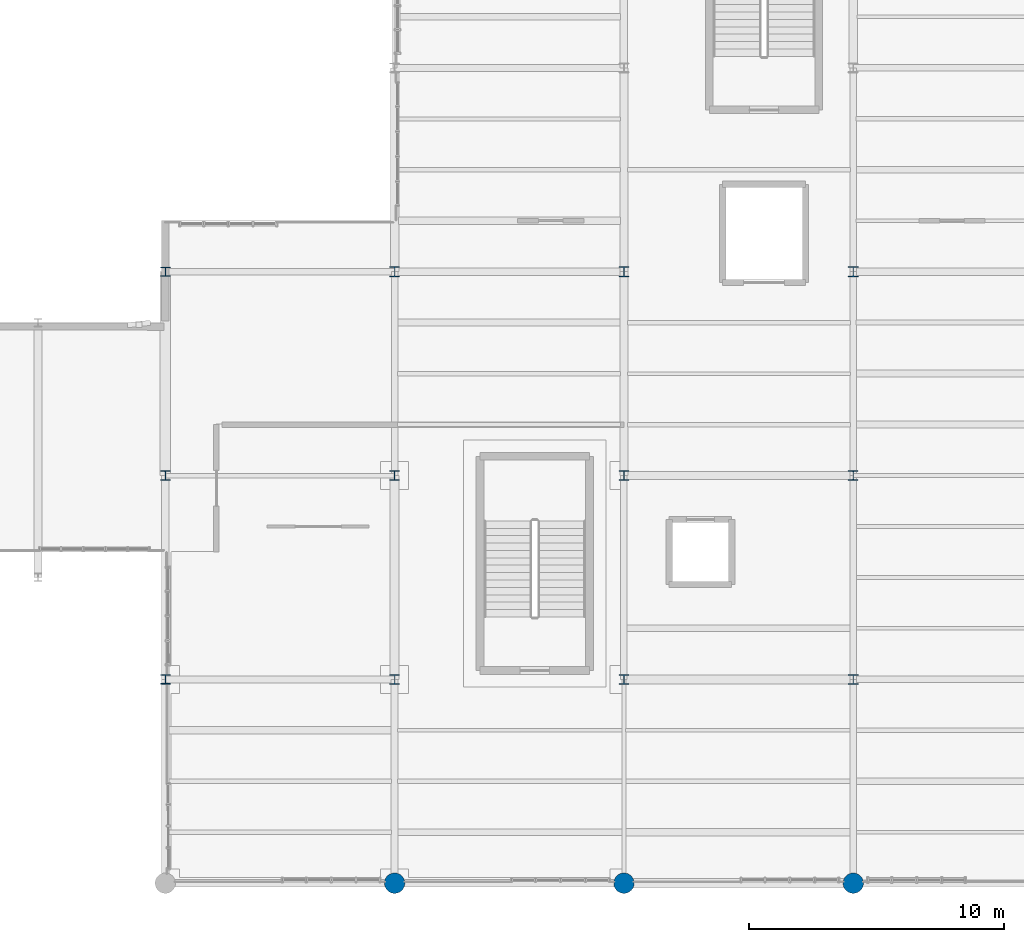
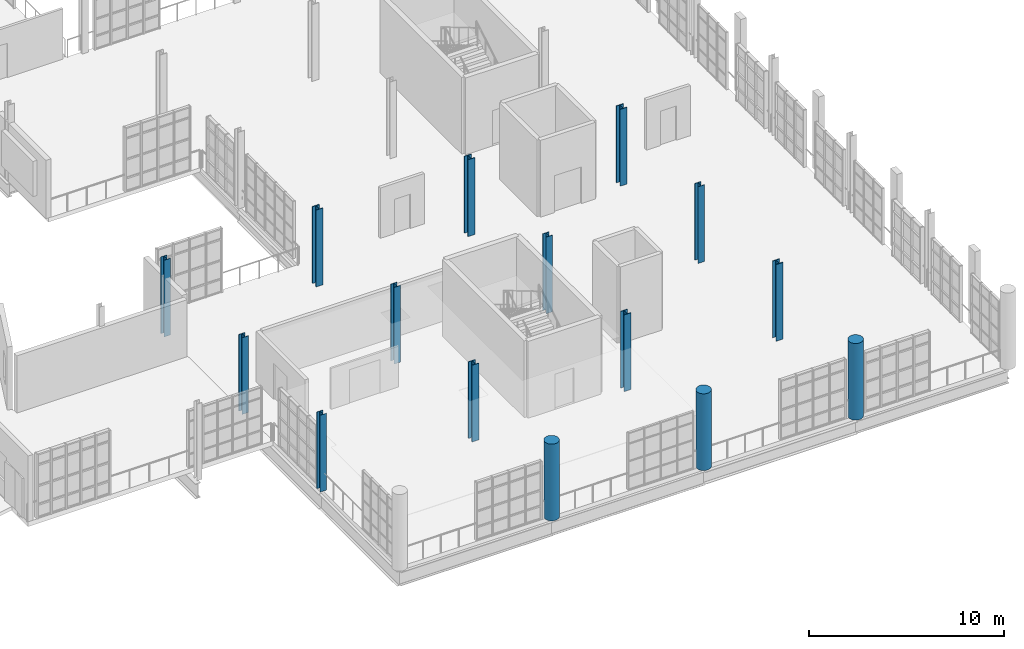
# One storey, part 6 of 122: 15 columns.
"""IFC4 building model written with IfcOpenShell, lengths in metres."""

import ifcopenshell
import ifcopenshell.guid

model = None  # the IFC model being written
_history = None  # IfcOwnerHistory: only IFC2X3 demands one
_inside = {}  # id of a spatial element -> (the spatial element, [elements in it])
_under = {}  # id of a project, library or spatial element -> (it, [spatial elements below it])
_declared = {}  # id of a project -> (the project, [libraries it declares])
_typed = {}  # id of a type object -> (the type object, [elements of that type])
_made_of = {}  # id of a material, layer set ... -> (it, [elements and type objects made of it])


def new_model(schema):
    """Start an empty IFC model of exactly this schema.

    Asked for "IFC4X3", IfcOpenShell would pick the latest addendum, in which some entities
    have other attributes; the version numbers below select the first issue.
    IFC2X3 requires an IfcOwnerHistory on every rooted entity: one is made here for all.
    """
    global model, _history
    if schema == "IFC4X3":
        model = ifcopenshell.file(schema_version=(4, 3, 0, 0))
    else:
        model = ifcopenshell.file(schema=schema)
    _inside.clear()
    _under.clear()
    _declared.clear()
    _typed.clear()
    _made_of.clear()
    _history = None
    if model.schema == "IFC2X3":
        org = make("IfcOrganization", Name="unknown")
        user = make(
            "IfcPersonAndOrganization",
            ThePerson=make("IfcPerson", FamilyName="unknown"),
            TheOrganization=org,
        )
        app = make(
            "IfcApplication",
            ApplicationDeveloper=org,
            Version="unknown",
            ApplicationFullName="unknown",
            ApplicationIdentifier="unknown",
        )
        _history = make(
            "IfcOwnerHistory",
            OwningUser=user,
            OwningApplication=app,
            ChangeAction="ADDED",
            CreationDate=0,
        )
    return model


def make(cls, **values):
    """One entity of the class cls with the attributes given. An attribute that is None is left unset."""
    return model.create_entity(
        cls, **{name: value for name, value in values.items() if value is not None}
    )


def rooted(cls, **values):
    """An entity with a GlobalId (a new one), such as an element, a storey or a relation."""
    return make(cls, GlobalId=ifcopenshell.guid.new(), OwnerHistory=_history, **values)


def si_unit(unit_type, name, prefix=None):
    """IfcSIUnit, for example si_unit("LENGTHUNIT", "METRE", prefix="MILLI")."""
    return make("IfcSIUnit", UnitType=unit_type, Prefix=prefix, Name=name)


def assignment(units):
    """IfcUnitAssignment: the units of a project."""
    return None if units is None else make("IfcUnitAssignment", Units=units)


def point(xyz):
    """IfcCartesianPoint."""
    return None if xyz is None else make("IfcCartesianPoint", Coordinates=xyz)


def direction(xyz):
    """IfcDirection."""
    return None if xyz is None else make("IfcDirection", DirectionRatios=xyz)


def frame(location, z_axis=None, x_axis=None):
    """IfcAxis2Placement3D, a coordinate frame: its origin and axes. An axis left out is left unset."""
    return make(
        "IfcAxis2Placement3D",
        Location=point(location),
        Axis=direction(z_axis),
        RefDirection=direction(x_axis),
    )


def frame_2d(location, x_axis=None):
    """IfcAxis2Placement2D, a coordinate frame in the plane: its origin and x axis."""
    return make(
        "IfcAxis2Placement2D", Location=point(location), RefDirection=direction(x_axis)
    )


def origin():
    """The frame at (0, 0, 0) with its axes left unset."""
    return frame((0.0, 0.0, 0.0))


def origin_2d():
    """The frame at (0, 0) in the plane with its x axis left unset."""
    return frame_2d((0.0, 0.0))


def place(relative_to, where):
    """IfcLocalPlacement: puts the frame where relative to a parent placement (None: the world)."""
    return make(
        "IfcLocalPlacement", PlacementRelTo=relative_to, RelativePlacement=where
    )


def context(
    kind, dimensions, precision=None, world=None, true_north=None, identifier=None
):
    """IfcGeometricRepresentationContext, for example the 3D "Model" context."""
    return make(
        "IfcGeometricRepresentationContext",
        ContextIdentifier=identifier,
        ContextType=kind,
        CoordinateSpaceDimension=dimensions,
        Precision=precision,
        WorldCoordinateSystem=world,
        TrueNorth=true_north,
    )


def subcontext(parent, identifier, kind, view, scale=None):
    """IfcGeometricRepresentationSubContext, for example "Body" below "Model"."""
    return make(
        "IfcGeometricRepresentationSubContext",
        ContextIdentifier=identifier,
        ContextType=kind,
        ParentContext=parent,
        TargetScale=scale,
        TargetView=view,
    )


def project(units=None, contexts=None):
    """IfcProject with its units and contexts."""
    return rooted(
        "IfcProject",
        Name="project",
        RepresentationContexts=contexts,
        UnitsInContext=assignment(units),
    )


def spatial(cls, under=None, at=None, **own):
    """A site, building, storey or space (cls), placed at a placement, below another one or the project."""
    s = rooted(cls, ObjectPlacement=at, **own)
    if under is not None:
        _under.setdefault(under.id(), (under, []))[1].append(s)
    return s


def profile(cls, at=None, kind="AREA", **sizes):
    """A parametric profile (cls). Its sizes go by their IFC names, for example OverallWidth=200.0."""
    return make(cls, ProfileType=kind, Position=at, **sizes)


def circle(**sizes):
    """IfcCircleProfileDef."""
    return profile("IfcCircleProfileDef", **sizes)


def i_section(**sizes):
    """IfcIShapeProfileDef."""
    return profile("IfcIShapeProfileDef", **sizes)


def extrude(swept, where, along, depth):
    """IfcExtrudedAreaSolid: the profile swept, set in the frame where, extruded along a direction by depth."""
    return make(
        "IfcExtrudedAreaSolid",
        SweptArea=swept,
        Position=where,
        ExtrudedDirection=direction(along),
        Depth=depth,
    )


def shape(context_of_items, identifier, shape_type, items):
    """IfcShapeRepresentation: the items that make up one representation, for example the "Body"."""
    return make(
        "IfcShapeRepresentation",
        ContextOfItems=context_of_items,
        RepresentationIdentifier=identifier,
        RepresentationType=shape_type,
        Items=items,
    )


def material(Name=None, Category=None):
    """IfcMaterial."""
    return make("IfcMaterial", Name=Name, Category=Category)


def material_profile(
    of_material, cross_section, Name=None, Category=None, Priority=None
):
    """IfcMaterialProfile: a cross section and its material."""
    return make(
        "IfcMaterialProfile",
        Name=Name,
        Material=of_material,
        Profile=cross_section,
        Priority=Priority,
        Category=Category,
    )


def profile_set(profiles, Name=None, composite=None):
    """IfcMaterialProfileSet."""
    return make(
        "IfcMaterialProfileSet",
        Name=Name,
        MaterialProfiles=profiles,
        CompositeProfile=composite,
    )


def made_of(thing, what):
    """Note that an element or type object is made of a material, layer set ...; save() writes the relation."""
    if what is not None:
        _made_of.setdefault(what.id(), (what, []))[1].append(thing)
    return thing


def type_object(cls, material=None, **own):
    """A type object (cls), such as IfcWallType, which elements share."""
    return made_of(rooted(cls, **own), material)


def element(
    cls,
    number,
    at=None,
    inside=None,
    cuts=None,
    type_object=None,
    material=None,
    context=None,
    identifier="Body",
    shape_type=None,
    held_by="IfcProductDefinitionShape",
    body=None,
    shapes=None,
    **own,
):
    """One element of the class cls, such as IfcWall. Its Tag is "e" and its number.

    at: its placement. inside: the storey or other place that contains it. cuts: it is an
    opening in that element (IfcRelVoidsElement). A single representation is given by context,
    identifier, shape_type and body (its items); several are given by shapes. held_by: the class
    of the entity that holds the representations. save() writes the other relations.
    """
    e = rooted(cls, Tag="e%d" % number, ObjectPlacement=at, **own)
    if body is not None:
        shapes = [shape(context, identifier, shape_type, body)]
    if shapes is not None:
        e.Representation = make(held_by, Representations=shapes)
    if inside is not None:
        _inside.setdefault(inside.id(), (inside, []))[1].append(e)
    if cuts is not None:
        rooted(
            "IfcRelVoidsElement", RelatingBuildingElement=cuts, RelatedOpeningElement=e
        )
    if type_object is not None:
        _typed.setdefault(type_object.id(), (type_object, []))[1].append(e)
    return made_of(e, material)


def aggregate(whole, parts):
    """IfcRelAggregates: a whole, such as a stair, and the parts it consists of."""
    return rooted("IfcRelAggregates", RelatingObject=whole, RelatedObjects=parts)


def save(model, path):
    """Write the relations noted so far, then the file.

    IfcRelAggregates (storeys below a building ...), IfcRelContainedInSpatialStructure (elements
    in a storey), IfcRelDefinesByType, IfcRelAssociatesMaterial and IfcRelDeclares: one each for
    every whole, place, type object, material and project.
    """
    for whole, parts in _under.values():
        aggregate(whole, parts)
    for where, things in _inside.values():
        rooted(
            "IfcRelContainedInSpatialStructure",
            RelatedElements=things,
            RelatingStructure=where,
        )
    for kind, things in _typed.values():
        rooted("IfcRelDefinesByType", RelatedObjects=things, RelatingType=kind)
    for what, things in _made_of.values():
        rooted("IfcRelAssociatesMaterial", RelatedObjects=things, RelatingMaterial=what)
    for by, libraries in _declared.values():
        rooted("IfcRelDeclares", RelatingContext=by, RelatedDefinitions=libraries)
    model.write(path)


model = new_model("IFC4")

# Units and contexts
model_context = context("Model", 3, precision=1e-05, world=origin(), true_north=direction((0.0, 1.0)))
body_context = subcontext(model_context, "Body", "Model", "MODEL_VIEW")
ifc_project = project(units=[si_unit("LENGTHUNIT", "METRE"), si_unit("AREAUNIT", "SQUARE_METRE"), si_unit("VOLUMEUNIT", "CUBIC_METRE"), si_unit("PLANEANGLEUNIT", "RADIAN"), si_unit("MASSUNIT", "GRAM", prefix="KILO"), si_unit("THERMODYNAMICTEMPERATUREUNIT", "KELVIN"), si_unit("POWERUNIT", "WATT")], contexts=[model_context])

# Site, building, storey
site_placement = place(None, origin())
site = spatial("IfcSite", under=ifc_project, at=site_placement, CompositionType="ELEMENT")
building_placement = place(site_placement, origin())
building = spatial("IfcBuilding", under=site, at=building_placement, Name="Zelmaris Science Centre", CompositionType="ELEMENT")
storey_placement = place(building_placement, frame((0.0, 0.0, 10.800048828125)))
storey = spatial("IfcBuildingStorey", under=building, at=storey_placement, Name="L02", CompositionType="ELEMENT", Elevation=10.800048828125)

# Columns
ifc_material_1 = material(Name="Steel ASTM A992 Grade 50", Category="steel")
ifc_material_profile_1 = material_profile(ifc_material_1, i_section(OverallWidth=0.40087890625, OverallDepth=0.39892578125, WebThickness=0.02490234375, FlangeThickness=0.03955078125, FilletRadius=0.014892578125, at=origin_2d()), Name="W14X211")
ifc_profile_set_1 = profile_set([ifc_material_profile_1], Name="Steel ASTM A992 Grade 50")
column_type_1 = type_object("IfcColumnType", Name="Column C-03 W14X211", PredefinedType="COLUMN", material=ifc_profile_set_1)
for number, where, z_axis, x_axis, name in (
    (1, (117.0, 16.0, 0.0), (0.0, 0.0, 1.0), (1.0, 0.0, 0.0), "Column V4-C-117-16 L02"),
    (2, (117.0, 32.0, 0.0), (0.0, 0.0, 1.0), (1.0, 0.0, 0.0), "Column V4-C-117-32 L02"),
    (3, (126.0, 16.0, 0.0), (0.0, 0.0, 1.0), (1.0, 0.0, 0.0), "Column V4-C-126-16 L02"),
    (4, (126.0, 32.0, 0.0), (0.0, 0.0, 1.0), (1.0, 0.0, 0.0), "Column V4-C-126-32 L02"),
    (5, (135.0, 16.0, 0.0), (0.0, 0.0, 1.0), (1.0, 0.0, 0.0), "Column V4-C-135-16 L02"),
    (6, (135.0, 32.0, 0.0), (0.0, 0.0, 1.0), (1.0, 0.0, 0.0), "Column V4-C-135-32 L02"),
):
    element("IfcColumn", number, at=place(storey_placement, frame(where, z_axis=z_axis, x_axis=x_axis)), inside=storey, type_object=column_type_1, Name=name, PredefinedType="COLUMN", context=body_context, shape_type="SweptSolid", body=[
        extrude(i_section(OverallWidth=0.40087890625, OverallDepth=0.39892578125, WebThickness=0.02490234375, FlangeThickness=0.03955078125, FilletRadius=0.014892578125, at=origin_2d()), origin(), (0.0, 0.0, 1.0), 4.800048828125),
    ])
ifc_material_profile_2 = material_profile(ifc_material_1, i_section(OverallWidth=0.373046875, OverallDepth=0.367919921875, WebThickness=0.014892578125, FlangeThickness=0.02392578125, FilletRadius=0.014892578125, at=origin_2d()), Name="W14X120")
ifc_profile_set_2 = profile_set([ifc_material_profile_2], Name="Steel ASTM A992 Grade 50")
column_type_2 = type_object("IfcColumnType", Name="Column C-06 W14X120", PredefinedType="COLUMN", material=ifc_profile_set_2)
for number, where, z_axis, x_axis, name in (
    (7, (108.0, 16.0, 0.0), (0.0, 0.0, 1.0), (1.0, 0.0, 0.0), "Column V4-C-108-16 L02"),
    (8, (108.0, 24.0, 0.0), (0.0, 0.0, 1.0), (1.0, 0.0, 0.0), "Column V4-C-108-24 L02"),
    (9, (108.0, 32.0, 0.0), (0.0, 0.0, 1.0), (1.0, 0.0, 0.0), "Column V4-C-108-32 L02"),
    (10, (117.0, 24.0, 0.0), (0.0, 0.0, 1.0), (1.0, 0.0, 0.0), "Column V4-C-117-24 L02"),
    (11, (126.0, 24.0, 0.0), (0.0, 0.0, 1.0), (1.0, 0.0, 0.0), "Column V4-C-126-24 L02"),
    (12, (135.0, 24.0, 0.0), (0.0, 0.0, 1.0), (1.0, 0.0, 0.0), "Column V4-C-135-24 L02"),
):
    element("IfcColumn", number, at=place(storey_placement, frame(where, z_axis=z_axis, x_axis=x_axis)), inside=storey, type_object=column_type_2, Name=name, PredefinedType="COLUMN", context=body_context, shape_type="SweptSolid", body=[
        extrude(i_section(OverallWidth=0.373046875, OverallDepth=0.367919921875, WebThickness=0.014892578125, FlangeThickness=0.02392578125, FilletRadius=0.014892578125, at=origin_2d()), origin(), (0.0, 0.0, 1.0), 4.800048828125),
    ])
ifc_material_2 = material(Name="Yucatan limestone ashlar masonry", Category="masonry")
ifc_material_profile_3 = material_profile(ifc_material_2, circle(Radius=0.39990234375, at=origin_2d()), Name="COL-LIM-D800")
ifc_profile_set_3 = profile_set([ifc_material_profile_3], Name="Yucatan limestone ashlar masonry")
column_type_3 = type_object("IfcColumnType", Name="Column C-17 COL-LIM-D800", PredefinedType="COLUMN", material=ifc_profile_set_3)
for number, where, z_axis, x_axis, name in (
    (13, (117.0, 8.0, 0.0), (0.0, 0.0, 1.0), (1.0, 0.0, 0.0), "Column V4-C-117-8 L02"),
    (14, (126.0, 8.0, 0.0), (0.0, 0.0, 1.0), (1.0, 0.0, 0.0), "Column V4-C-126-8 L02"),
    (15, (135.0, 8.0, 0.0), (0.0, 0.0, 1.0), (1.0, 0.0, 0.0), "Column V4-C-135-8 L02"),
):
    element("IfcColumn", number, at=place(storey_placement, frame(where, z_axis=z_axis, x_axis=x_axis)), inside=storey, type_object=column_type_3, Name=name, PredefinedType="COLUMN", context=body_context, shape_type="SweptSolid", body=[
        extrude(circle(Radius=0.39990234375, at=origin_2d()), origin(), (0.0, 0.0, 1.0), 4.800048828125),
    ])

save(model, "model.ifc")
